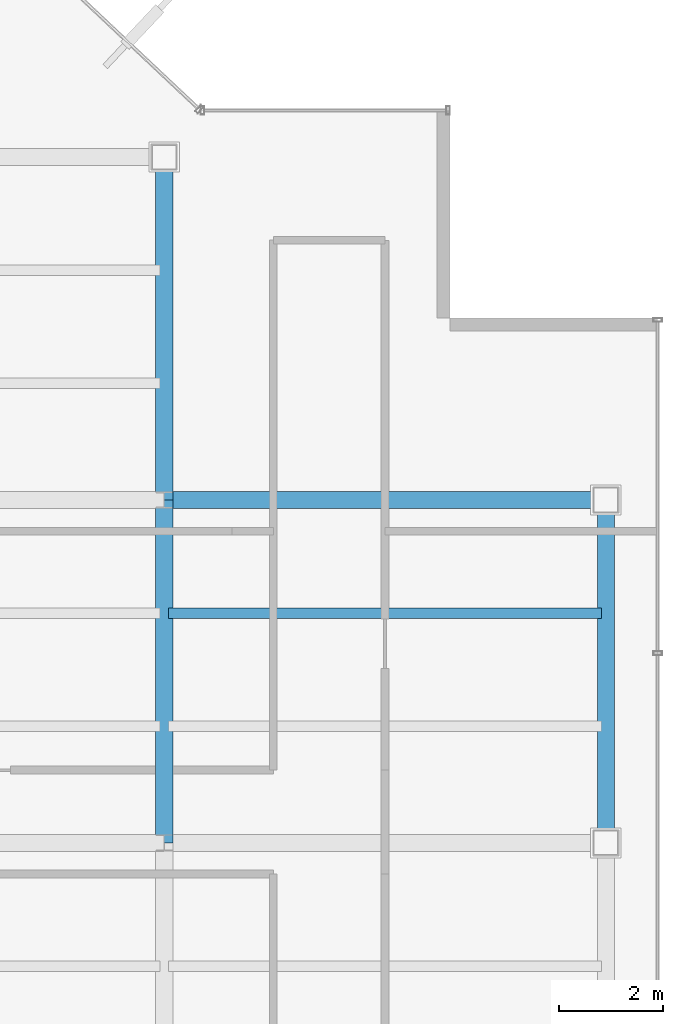
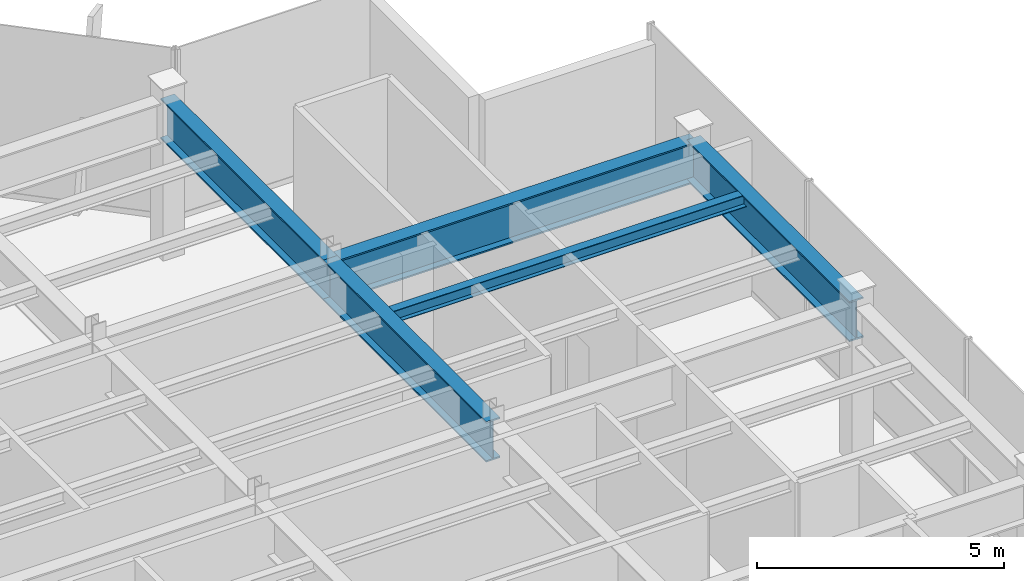
# One storey, part 12 of 24: 5 beams.
"""IFC4 building model written with IfcOpenShell, lengths in metres."""

import ifcopenshell
import ifcopenshell.guid

model = None  # the IFC model being written
_history = None  # IfcOwnerHistory: only IFC2X3 demands one
_inside = {}  # id of a spatial element -> (the spatial element, [elements in it])
_under = {}  # id of a project, library or spatial element -> (it, [spatial elements below it])
_declared = {}  # id of a project -> (the project, [libraries it declares])
_typed = {}  # id of a type object -> (the type object, [elements of that type])
_made_of = {}  # id of a material, layer set ... -> (it, [elements and type objects made of it])


def new_model(schema):
    """Start an empty IFC model of exactly this schema.

    Asked for "IFC4X3", IfcOpenShell would pick the latest addendum, in which some entities
    have other attributes; the version numbers below select the first issue.
    IFC2X3 requires an IfcOwnerHistory on every rooted entity: one is made here for all.
    """
    global model, _history
    if schema == "IFC4X3":
        model = ifcopenshell.file(schema_version=(4, 3, 0, 0))
    else:
        model = ifcopenshell.file(schema=schema)
    _inside.clear()
    _under.clear()
    _declared.clear()
    _typed.clear()
    _made_of.clear()
    _history = None
    if model.schema == "IFC2X3":
        org = make("IfcOrganization", Name="unknown")
        user = make(
            "IfcPersonAndOrganization",
            ThePerson=make("IfcPerson", FamilyName="unknown"),
            TheOrganization=org,
        )
        app = make(
            "IfcApplication",
            ApplicationDeveloper=org,
            Version="unknown",
            ApplicationFullName="unknown",
            ApplicationIdentifier="unknown",
        )
        _history = make(
            "IfcOwnerHistory",
            OwningUser=user,
            OwningApplication=app,
            ChangeAction="ADDED",
            CreationDate=0,
        )
    return model


def make(cls, **values):
    """One entity of the class cls with the attributes given. An attribute that is None is left unset."""
    return model.create_entity(
        cls, **{name: value for name, value in values.items() if value is not None}
    )


def rooted(cls, **values):
    """An entity with a GlobalId (a new one), such as an element, a storey or a relation."""
    return make(cls, GlobalId=ifcopenshell.guid.new(), OwnerHistory=_history, **values)


def si_unit(unit_type, name, prefix=None):
    """IfcSIUnit, for example si_unit("LENGTHUNIT", "METRE", prefix="MILLI")."""
    return make("IfcSIUnit", UnitType=unit_type, Prefix=prefix, Name=name)


def derived_unit(unit_type, elements):
    """IfcDerivedUnit: a product of units, each with its exponent."""
    return make(
        "IfcDerivedUnit",
        Elements=[
            make("IfcDerivedUnitElement", Unit=unit, Exponent=power)
            for unit, power in elements
        ],
        UnitType=unit_type,
    )


def assignment(units):
    """IfcUnitAssignment: the units of a project."""
    return None if units is None else make("IfcUnitAssignment", Units=units)


def point(xyz):
    """IfcCartesianPoint."""
    return None if xyz is None else make("IfcCartesianPoint", Coordinates=xyz)


def direction(xyz):
    """IfcDirection."""
    return None if xyz is None else make("IfcDirection", DirectionRatios=xyz)


def frame(location, z_axis=None, x_axis=None):
    """IfcAxis2Placement3D, a coordinate frame: its origin and axes. An axis left out is left unset."""
    return make(
        "IfcAxis2Placement3D",
        Location=point(location),
        Axis=direction(z_axis),
        RefDirection=direction(x_axis),
    )


def frame_2d(location, x_axis=None):
    """IfcAxis2Placement2D, a coordinate frame in the plane: its origin and x axis."""
    return make(
        "IfcAxis2Placement2D", Location=point(location), RefDirection=direction(x_axis)
    )


def origin():
    """The frame at (0, 0, 0) with its axes left unset."""
    return frame((0.0, 0.0, 0.0))


def origin_2d():
    """The frame at (0, 0) in the plane with its x axis left unset."""
    return frame_2d((0.0, 0.0))


def place(relative_to, where):
    """IfcLocalPlacement: puts the frame where relative to a parent placement (None: the world)."""
    return make(
        "IfcLocalPlacement", PlacementRelTo=relative_to, RelativePlacement=where
    )


def context(
    kind, dimensions, precision=None, world=None, true_north=None, identifier=None
):
    """IfcGeometricRepresentationContext, for example the 3D "Model" context."""
    return make(
        "IfcGeometricRepresentationContext",
        ContextIdentifier=identifier,
        ContextType=kind,
        CoordinateSpaceDimension=dimensions,
        Precision=precision,
        WorldCoordinateSystem=world,
        TrueNorth=true_north,
    )


def subcontext(parent, identifier, kind, view, scale=None):
    """IfcGeometricRepresentationSubContext, for example "Body" below "Model"."""
    return make(
        "IfcGeometricRepresentationSubContext",
        ContextIdentifier=identifier,
        ContextType=kind,
        ParentContext=parent,
        TargetScale=scale,
        TargetView=view,
    )


def project(units=None, contexts=None):
    """IfcProject with its units and contexts."""
    return rooted(
        "IfcProject",
        Name="project",
        RepresentationContexts=contexts,
        UnitsInContext=assignment(units),
    )


def spatial(cls, under=None, at=None, **own):
    """A site, building, storey or space (cls), placed at a placement, below another one or the project."""
    s = rooted(cls, ObjectPlacement=at, **own)
    if under is not None:
        _under.setdefault(under.id(), (under, []))[1].append(s)
    return s


def profile(cls, at=None, kind="AREA", **sizes):
    """A parametric profile (cls). Its sizes go by their IFC names, for example OverallWidth=200.0."""
    return make(cls, ProfileType=kind, Position=at, **sizes)


def i_section(**sizes):
    """IfcIShapeProfileDef."""
    return profile("IfcIShapeProfileDef", **sizes)


def extrude(swept, where, along, depth):
    """IfcExtrudedAreaSolid: the profile swept, set in the frame where, extruded along a direction by depth."""
    return make(
        "IfcExtrudedAreaSolid",
        SweptArea=swept,
        Position=where,
        ExtrudedDirection=direction(along),
        Depth=depth,
    )


def shape(context_of_items, identifier, shape_type, items):
    """IfcShapeRepresentation: the items that make up one representation, for example the "Body"."""
    return make(
        "IfcShapeRepresentation",
        ContextOfItems=context_of_items,
        RepresentationIdentifier=identifier,
        RepresentationType=shape_type,
        Items=items,
    )


def source(mapping_origin, context_of_items, identifier, shape_type, items):
    """IfcRepresentationMap: a shape defined once, which mapped items show again and again."""
    return make(
        "IfcRepresentationMap",
        MappingOrigin=mapping_origin,
        MappedRepresentation=shape(context_of_items, identifier, shape_type, items),
    )


def transform(
    local_origin,
    x_axis=None,
    y_axis=None,
    z_axis=None,
    scale=None,
    scale2=None,
    scale3=None,
    uniform=True,
):
    """IfcCartesianTransformationOperator3D, or its non-uniform kind. x_axis, y_axis, z_axis: its Axis1, 2, 3."""
    if uniform:
        return make(
            "IfcCartesianTransformationOperator3D",
            Axis1=direction(x_axis),
            Axis2=direction(y_axis),
            LocalOrigin=point(local_origin),
            Scale=scale,
            Axis3=direction(z_axis),
        )
    return make(
        "IfcCartesianTransformationOperator3DnonUniform",
        Axis1=direction(x_axis),
        Axis2=direction(y_axis),
        LocalOrigin=point(local_origin),
        Scale=scale,
        Axis3=direction(z_axis),
        Scale2=scale2,
        Scale3=scale3,
    )


def mapped(mapping_source, mapping_target):
    """IfcMappedItem: shows the shape of a source again, moved by a transform."""
    return make(
        "IfcMappedItem", MappingSource=mapping_source, MappingTarget=mapping_target
    )


def material(Name=None, Category=None):
    """IfcMaterial."""
    return make("IfcMaterial", Name=Name, Category=Category)


def material_profile(
    of_material, cross_section, Name=None, Category=None, Priority=None
):
    """IfcMaterialProfile: a cross section and its material."""
    return make(
        "IfcMaterialProfile",
        Name=Name,
        Material=of_material,
        Profile=cross_section,
        Priority=Priority,
        Category=Category,
    )


def profile_set(profiles, Name=None, composite=None):
    """IfcMaterialProfileSet."""
    return make(
        "IfcMaterialProfileSet",
        Name=Name,
        MaterialProfiles=profiles,
        CompositeProfile=composite,
    )


def made_of(thing, what):
    """Note that an element or type object is made of a material, layer set ...; save() writes the relation."""
    if what is not None:
        _made_of.setdefault(what.id(), (what, []))[1].append(thing)
    return thing


def type_object(cls, material=None, **own):
    """A type object (cls), such as IfcWallType, which elements share."""
    return made_of(rooted(cls, **own), material)


def element(
    cls,
    number,
    at=None,
    inside=None,
    cuts=None,
    type_object=None,
    material=None,
    context=None,
    identifier="Body",
    shape_type=None,
    held_by="IfcProductDefinitionShape",
    body=None,
    shapes=None,
    **own,
):
    """One element of the class cls, such as IfcWall. Its Tag is "e" and its number.

    at: its placement. inside: the storey or other place that contains it. cuts: it is an
    opening in that element (IfcRelVoidsElement). A single representation is given by context,
    identifier, shape_type and body (its items); several are given by shapes. held_by: the class
    of the entity that holds the representations. save() writes the other relations.
    """
    e = rooted(cls, Tag="e%d" % number, ObjectPlacement=at, **own)
    if body is not None:
        shapes = [shape(context, identifier, shape_type, body)]
    if shapes is not None:
        e.Representation = make(held_by, Representations=shapes)
    if inside is not None:
        _inside.setdefault(inside.id(), (inside, []))[1].append(e)
    if cuts is not None:
        rooted(
            "IfcRelVoidsElement", RelatingBuildingElement=cuts, RelatedOpeningElement=e
        )
    if type_object is not None:
        _typed.setdefault(type_object.id(), (type_object, []))[1].append(e)
    return made_of(e, material)


def aggregate(whole, parts):
    """IfcRelAggregates: a whole, such as a stair, and the parts it consists of."""
    return rooted("IfcRelAggregates", RelatingObject=whole, RelatedObjects=parts)


def save(model, path):
    """Write the relations noted so far, then the file.

    IfcRelAggregates (storeys below a building ...), IfcRelContainedInSpatialStructure (elements
    in a storey), IfcRelDefinesByType, IfcRelAssociatesMaterial and IfcRelDeclares: one each for
    every whole, place, type object, material and project.
    """
    for whole, parts in _under.values():
        aggregate(whole, parts)
    for where, things in _inside.values():
        rooted(
            "IfcRelContainedInSpatialStructure",
            RelatedElements=things,
            RelatingStructure=where,
        )
    for kind, things in _typed.values():
        rooted("IfcRelDefinesByType", RelatedObjects=things, RelatingType=kind)
    for what, things in _made_of.values():
        rooted("IfcRelAssociatesMaterial", RelatedObjects=things, RelatingMaterial=what)
    for by, libraries in _declared.values():
        rooted("IfcRelDeclares", RelatingContext=by, RelatedDefinitions=libraries)
    model.write(path)


model = new_model("IFC4")

# Units and contexts
model_context = context("Model", 3, precision=1e-05, world=origin(), true_north=direction((0.0, 1.0)))
body_context = subcontext(model_context, "Body", "Model", "MODEL_VIEW")
ifc_project = project(units=[si_unit("LENGTHUNIT", "METRE"), si_unit("AREAUNIT", "SQUARE_METRE"), si_unit("VOLUMEUNIT", "CUBIC_METRE"), si_unit("PLANEANGLEUNIT", "RADIAN"), si_unit("MASSUNIT", "GRAM", prefix="KILO"), derived_unit("THERMALTRANSMITTANCEUNIT", [(si_unit("POWERUNIT", "WATT"), 1), (si_unit("LENGTHUNIT", "METRE"), -2), (si_unit("THERMODYNAMICTEMPERATUREUNIT", "KELVIN"), -1)])], contexts=[model_context])

# Site, building, storey
site_placement = place(None, origin())
site = spatial("IfcSite", under=ifc_project, at=site_placement, CompositionType="ELEMENT")
building_placement = place(site_placement, origin())
building = spatial("IfcBuilding", under=site, at=building_placement, Name="Skarnbrae Concourse Arena and Tower", CompositionType="ELEMENT")
storey_placement = place(building_placement, frame((0.0, 0.0, 288.0)))
storey = spatial("IfcBuildingStorey", under=building, at=storey_placement, Name="L75", CompositionType="ELEMENT", Elevation=288.0)

# Beams
ifc_material = material(Name="Steel CSA G40.21 350W", Category="steel")
ifc_material_profile_1 = material_profile(ifc_material, i_section(OverallWidth=0.327880859375, OverallDepth=1.0, WebThickness=0.02099609375, FlangeThickness=0.03759765625, at=origin_2d()), Name="W1000X371")
ifc_profile_set_1 = profile_set([ifc_material_profile_1], Name="Steel CSA G40.21 350W")
beam_type_1 = type_object("IfcBeamType", Name="BM-XFER-W1000X371", PredefinedType="BEAM", material=ifc_profile_set_1)
shared_shape_1 = source(origin(), body_context, "Body", "SweptSolid", [
    extrude(i_section(OverallWidth=0.327880859375, OverallDepth=1.0, WebThickness=0.02099609375, FlangeThickness=0.03759765625, at=origin_2d()), origin(), (0.0, 0.0, 1.0), 6.60009765625),
])
for number, where, z_axis, x_axis, name in (
    (1, (33.5, 21.199951171875, 3.35009765625), (0.0, 1.0, 0.0), (-1.0, 0.0, 0.0), "L75 Primary N-S girder X33.5-2"),
    (2, (42.0, 21.199951171875, 3.35009765625), (0.0, 1.0, 0.0), (-1.0, 0.0, 0.0), "L75 Perimeter spandrel X42.0-3"),
):
    element("IfcBeam", number, at=place(storey_placement, frame(where, z_axis=z_axis, x_axis=x_axis)), inside=storey, type_object=beam_type_1, Name=name, PredefinedType="BEAM", context=body_context, shape_type="MappedRepresentation", body=[
        mapped(shared_shape_1, transform((0.0, 0.0, 0.0))),
    ])
shared_shape_2 = source(origin(), body_context, "Body", "SweptSolid", [
    extrude(i_section(OverallWidth=0.327880859375, OverallDepth=1.0, WebThickness=0.02099609375, FlangeThickness=0.03759765625, at=origin_2d()), origin(), (0.0, 0.0, 1.0), 8.5),
])
beam_1_placement = place(storey_placement, frame((33.5, 27.800048828125, 3.35009765625), z_axis=(1.0, 0.0, 0.0), x_axis=(0.0, 1.0, 0.0)))
element("IfcBeam", 3, at=beam_1_placement, inside=storey, type_object=beam_type_1, Name="L75 Primary E-W girder Y27.8-6", PredefinedType="BEAM", context=body_context, shape_type="MappedRepresentation", body=[
    mapped(shared_shape_2, transform((0.0, 0.0, 0.0))),
])
shared_shape_3 = source(origin(), body_context, "Body", "SweptSolid", [
    extrude(i_section(OverallWidth=0.327880859375, OverallDepth=1.0, WebThickness=0.02099609375, FlangeThickness=0.03759765625, at=origin_2d()), origin(), (0.0, 0.0, 1.0), 6.599853515625),
])
beam_2_placement = place(storey_placement, frame((33.5, 27.800048828125, 3.35009765625), z_axis=(0.0, 1.0, 0.0), x_axis=(-1.0, 0.0, 0.0)))
element("IfcBeam", 4, at=beam_2_placement, inside=storey, type_object=beam_type_1, Name="L75 Primary N-S girder X33.5-3", PredefinedType="BEAM", context=body_context, shape_type="MappedRepresentation", body=[
    mapped(shared_shape_3, transform((0.0, 0.0, 0.0))),
])
ifc_material_profile_2 = material_profile(ifc_material, i_section(OverallWidth=0.202880859375, OverallDepth=0.302978515625, WebThickness=0.007568359375, FlangeThickness=0.01318359375, at=origin_2d()), Name="W310X60")
ifc_profile_set_2 = profile_set([ifc_material_profile_2], Name="Steel CSA G40.21 350W")
beam_type_2 = type_object("IfcBeamType", Name="BM-JOIST-W310X60", PredefinedType="JOIST", material=ifc_profile_set_2)
shared_shape_4 = source(origin(), body_context, "Body", "SweptSolid", [
    extrude(i_section(OverallWidth=0.202880859375, OverallDepth=0.302978515625, WebThickness=0.007568359375, FlangeThickness=0.01318359375, at=origin_2d()), origin(), (0.0, 0.0, 1.0), 8.33984375),
])
beam_3_placement = place(storey_placement, frame((33.580078125, 25.6220703125, 3.698486328125), z_axis=(1.0, 0.0, 0.0), x_axis=(0.0, 1.0, 0.0)))
element("IfcBeam", 5, at=beam_3_placement, inside=storey, type_object=beam_type_2, Name="L75 Secondary floor joist 2.2.6", PredefinedType="JOIST", context=body_context, shape_type="MappedRepresentation", body=[
    mapped(shared_shape_4, transform((0.0, 0.0, 0.0))),
])

save(model, "model.ifc")
